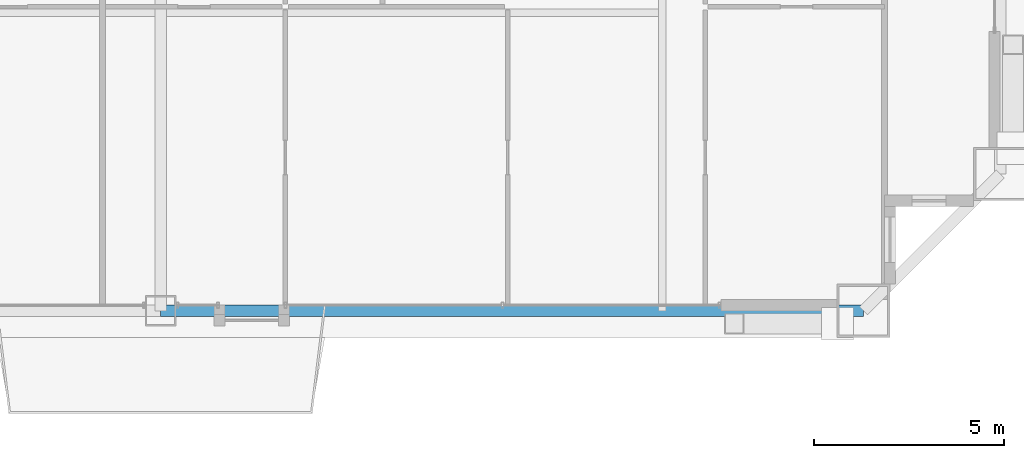
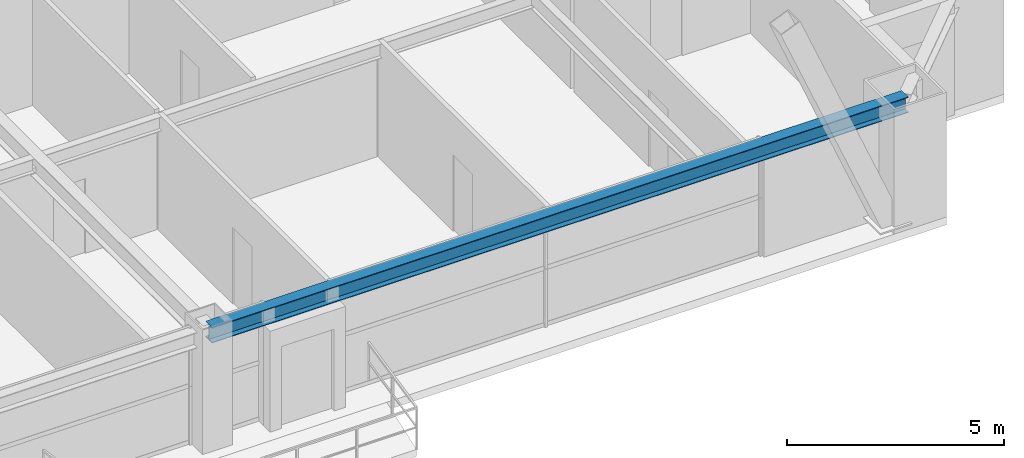
# One storey, part 11 of 45: 1 beam.
"""IFC4 building model written with IfcOpenShell, lengths in metres."""

from ifc_helpers import new_model, si_unit, direction, frame, origin, origin_2d, place, context, subcontext, project, spatial, i_section, extrude, source, transform, mapped, material, material_profile, profile_set, type_object, element, save


model = new_model("IFC4")

# Units and contexts
model_context = context("Model", 3, precision=1e-05, world=origin(), true_north=direction((0.0, 1.0)))
body_context = subcontext(model_context, "Body", "Model", "MODEL_VIEW")
ifc_project = project(units=[si_unit("LENGTHUNIT", "METRE"), si_unit("AREAUNIT", "SQUARE_METRE"), si_unit("VOLUMEUNIT", "CUBIC_METRE"), si_unit("PLANEANGLEUNIT", "RADIAN"), si_unit("MASSUNIT", "GRAM", prefix="KILO"), si_unit("THERMODYNAMICTEMPERATUREUNIT", "KELVIN"), si_unit("POWERUNIT", "WATT")], contexts=[model_context])

# Site, building, storey
site_placement = place(None, origin())
site = spatial("IfcSite", under=ifc_project, at=site_placement, CompositionType="ELEMENT")
building_placement = place(site_placement, origin())
building = spatial("IfcBuilding", under=site, at=building_placement, Name="Yuzanri Waterfront Tower", CompositionType="ELEMENT")
storey_placement = place(building_placement, frame((0.0, 0.0, 212.5)))
storey = spatial("IfcBuildingStorey", under=building, at=storey_placement, Name="L56", CompositionType="ELEMENT", Elevation=212.5)

# Beam
ifc_material = material(Name="Steel Q355B", Category="steel")
ifc_material_profile = material_profile(ifc_material, i_section(OverallWidth=0.300048828125, OverallDepth=0.43994140625, WebThickness=0.010986328125, FlangeThickness=0.01806640625, at=origin_2d()), Name="HM 440x300x11x18")
ifc_profile_set = profile_set([ifc_material_profile], Name="Steel Q355B")
beam_type = type_object("IfcBeamType", Name="Perimeter Spandrel Q355B HM 440x300", PredefinedType="SPANDREL", material=ifc_profile_set)
shared_shape = source(origin(), body_context, "Body", "SweptSolid", [
    extrude(i_section(OverallWidth=0.300048828125, OverallDepth=0.43994140625, WebThickness=0.010986328125, FlangeThickness=0.01806640625, at=origin_2d()), origin(), (0.0, 0.0, 1.0), 18.5),
])
beam_placement = place(storey_placement, frame((37.0, 3.699951171875, 3.06005859375), z_axis=(1.0, 0.0, 0.0), x_axis=(0.0, 1.0, 0.0)))
element("IfcBeam", 1, at=beam_placement, inside=storey, type_object=beam_type, Name="L56 Perimeter Spandrel S2-S3", PredefinedType="SPANDREL", context=body_context, shape_type="MappedRepresentation", body=[
    mapped(shared_shape, transform((0.0, 0.0, 0.0), scale=1.0)),
])

save(model, "model.ifc")
